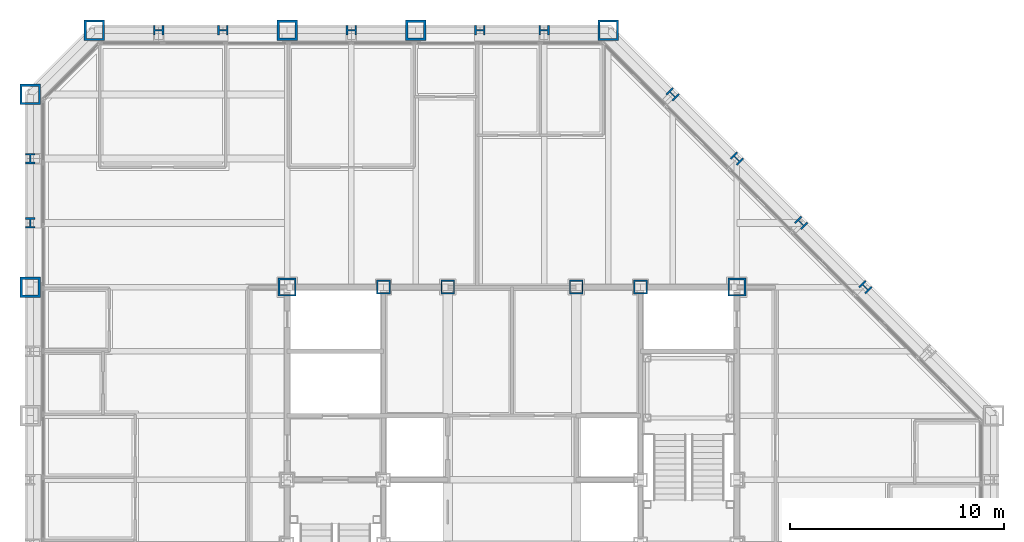
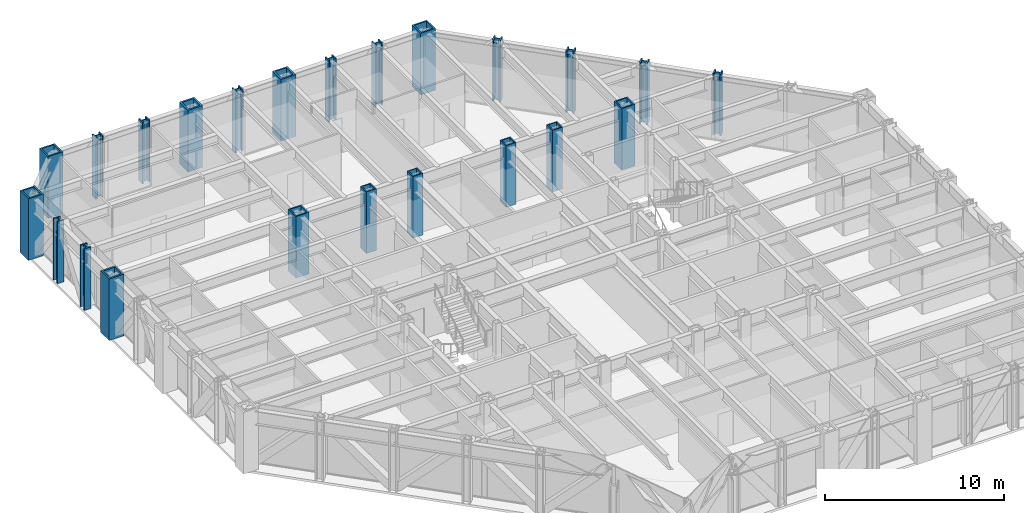
# One storey, part 3 of 16: 23 columns.
"""IFC4 building model written with IfcOpenShell, lengths in metres."""

from ifc_helpers import new_model, si_unit, direction, frame, origin, origin_2d, place, context, subcontext, project, spatial, hollow_rectangle, i_section, extrude, material, material_profile, profile_set, type_object, element, save


model = new_model("IFC4")

# Units and contexts
model_context = context("Model", 3, precision=1e-05, world=origin(), true_north=direction((0.0, 1.0)))
body_context = subcontext(model_context, "Body", "Model", "MODEL_VIEW")
ifc_project = project(units=[si_unit("LENGTHUNIT", "METRE"), si_unit("AREAUNIT", "SQUARE_METRE"), si_unit("VOLUMEUNIT", "CUBIC_METRE"), si_unit("PLANEANGLEUNIT", "RADIAN"), si_unit("MASSUNIT", "GRAM", prefix="KILO")], contexts=[model_context])

# Site, building, storey
site_placement = place(None, origin())
site = spatial("IfcSite", under=ifc_project, at=site_placement, CompositionType="ELEMENT")
building_placement = place(site_placement, origin())
building = spatial("IfcBuilding", under=site, at=building_placement, Name="Chuquiago Exchange Tower", CompositionType="ELEMENT")
storey_placement = place(building_placement, frame((0.0, 0.0, 153.0)))
storey = spatial("IfcBuildingStorey", under=building, at=storey_placement, Name="L33", CompositionType="ELEMENT", Elevation=153.0)

# Columns
ifc_material_1 = material(Name="Steel ASTM A992", Category="steel")
ifc_material_profile_1 = material_profile(ifc_material_1, i_section(OverallWidth=0.431884765625, OverallDepth=0.497802734375, WebThickness=0.0556640625, FlangeThickness=0.0888671875, at=origin_2d()), Name="W14X500")
ifc_profile_set_1 = profile_set([ifc_material_profile_1], Name="Steel ASTM A992")
column_type_1 = type_object("IfcColumnType", Name="C7 W14X500", PredefinedType="COLUMN", material=ifc_profile_set_1)
for number, where, z_axis, x_axis, name in (
    (1, (24.0, 45.0, 0.0), (0.0, 0.0, 1.0), (0.0, 1.0, 0.0), "COL-L33-24_45"),
    (2, (21.0, 45.0, 0.0), (0.0, 0.0, 1.0), (0.0, 1.0, 0.0), "COL-L33-21_45"),
    (3, (15.0, 45.0, 0.0), (0.0, 0.0, 1.0), (0.0, 1.0, 0.0), "COL-L33-15_45"),
    (4, (9.0, 45.0, 0.0), (0.0, 0.0, 1.0), (0.0, 1.0, 0.0), "COL-L33-9_45"),
    (5, (6.0, 45.0, 0.0), (0.0, 0.0, 1.0), (0.0, 1.0, 0.0), "COL-L33-6_45"),
    (6, (0.0, 39.0, 0.0), (0.0, 0.0, 1.0), (-1.0, 0.0, 0.0), "COL-L33-0_39"),
    (7, (0.0, 36.0, 0.0), (0.0, 0.0, 1.0), (-1.0, 0.0, 0.0), "COL-L33-0_36"),
):
    element("IfcColumn", number, at=place(storey_placement, frame(where, z_axis=z_axis, x_axis=x_axis)), inside=storey, type_object=column_type_1, Name=name, PredefinedType="COLUMN", context=body_context, shape_type="SweptSolid", body=[
        extrude(i_section(OverallWidth=0.431884765625, OverallDepth=0.497802734375, WebThickness=0.0556640625, FlangeThickness=0.0888671875, at=origin_2d()), origin(), (0.0, 0.0, 1.0), 4.199951171875),
    ])
ifc_material_2 = material(Name="Steel ASTM A572 Grade 50", Category="steel")
ifc_material_profile_2 = material_profile(ifc_material_2, hollow_rectangle(XDim=0.85009765625, YDim=0.85009765625, WallThickness=0.0849609375, at=origin_2d()), Name="BOX850X850X85")
ifc_profile_set_2 = profile_set([ifc_material_profile_2], Name="Steel ASTM A572 Grade 50")
column_type_2 = type_object("IfcColumnType", Name="CC6 BOX850X850X85", PredefinedType="COLUMN", material=ifc_profile_set_2)
for number, where, z_axis, x_axis, name in (
    (8, (12.0, 33.0, 0.0), (0.0, 0.0, 1.0), (1.0, 0.0, 0.0), "CCOL-L33-12_33"),
    (9, (33.0, 33.0, 0.0), (0.0, 0.0, 1.0), (1.0, 0.0, 0.0), "CCOL-L33-33_33"),
):
    element("IfcColumn", number, at=place(storey_placement, frame(where, z_axis=z_axis, x_axis=x_axis)), inside=storey, type_object=column_type_2, Name=name, PredefinedType="COLUMN", context=body_context, shape_type="SweptSolid", body=[
        extrude(hollow_rectangle(XDim=0.85009765625, YDim=0.85009765625, WallThickness=0.0849609375, at=origin_2d()), origin(), (0.0, 0.0, 1.0), 4.199951171875),
    ])
ifc_material_3 = material(Name="Steel ASTM A572 Grade 50", Category="steel")
ifc_material_profile_3 = material_profile(ifc_material_3, hollow_rectangle(XDim=0.64990234375, YDim=0.64990234375, WallThickness=0.06494140625, at=origin_2d()), Name="BOX650X650X65")
ifc_profile_set_3 = profile_set([ifc_material_profile_3], Name="Steel ASTM A572 Grade 50")
column_type_3 = type_object("IfcColumnType", Name="CC7 BOX650X650X65", PredefinedType="COLUMN", material=ifc_profile_set_3)
for number, where, z_axis, x_axis, name in (
    (10, (16.5, 33.0, 0.0), (0.0, 0.0, 1.0), (1.0, 0.0, 0.0), "CCOL-L33-16.5_33"),
    (11, (19.5, 33.0, 0.0), (0.0, 0.0, 1.0), (1.0, 0.0, 0.0), "CCOL-L33-19.5_33"),
    (12, (25.5, 33.0, 0.0), (0.0, 0.0, 1.0), (1.0, 0.0, 0.0), "CCOL-L33-25.5_33"),
    (13, (28.5, 33.0, 0.0), (0.0, 0.0, 1.0), (1.0, 0.0, 0.0), "CCOL-L33-28.5_33"),
):
    element("IfcColumn", number, at=place(storey_placement, frame(where, z_axis=z_axis, x_axis=x_axis)), inside=storey, type_object=column_type_3, Name=name, PredefinedType="COLUMN", context=body_context, shape_type="SweptSolid", body=[
        extrude(hollow_rectangle(XDim=0.64990234375, YDim=0.64990234375, WallThickness=0.06494140625, at=origin_2d()), origin(), (0.0, 0.0, 1.0), 4.199951171875),
    ])
ifc_material_4 = material(Name="Steel ASTM A992", Category="steel")
ifc_material_profile_4 = material_profile(ifc_material_4, i_section(OverallWidth=0.4267578125, OverallDepth=0.482666015625, WebThickness=0.05126953125, FlangeThickness=0.08154296875, at=origin_2d()), Name="W14X455")
ifc_profile_set_4 = profile_set([ifc_material_profile_4], Name="Steel ASTM A992")
column_type_4 = type_object("IfcColumnType", Name="CK6 W14X455", PredefinedType="COLUMN", material=ifc_profile_set_4)
for number, where, z_axis, x_axis, name in (
    (14, (39.0, 33.0, 0.0), (0.0, 0.0, 1.0), (0.707106781187, 0.707106781187, 0.0), "COL-L33-39_33"),
    (15, (36.0, 36.0, 0.0), (0.0, 0.0, 1.0), (0.707106781187, 0.707106781187, 0.0), "COL-L33-36_36"),
    (16, (33.0, 39.0, 0.0), (0.0, 0.0, 1.0), (0.707106781187, 0.707106781187, 0.0), "COL-L33-33_39"),
    (17, (30.0, 42.0, 0.0), (0.0, 0.0, 1.0), (0.707106781187, 0.707106781187, 0.0), "COL-L33-30_42"),
):
    element("IfcColumn", number, at=place(storey_placement, frame(where, z_axis=z_axis, x_axis=x_axis)), inside=storey, type_object=column_type_4, Name=name, PredefinedType="COLUMN", context=body_context, shape_type="SweptSolid", body=[
        extrude(i_section(OverallWidth=0.4267578125, OverallDepth=0.482666015625, WebThickness=0.05126953125, FlangeThickness=0.08154296875, at=origin_2d()), origin(), (0.0, 0.0, 1.0), 4.199951171875),
    ])
ifc_material_5 = material(Name="Steel ASTM A572 Grade 50", Category="steel")
ifc_material_profile_5 = material_profile(ifc_material_5, hollow_rectangle(XDim=0.949951171875, YDim=0.949951171875, WallThickness=0.094970703125, at=origin_2d()), Name="BOX950X950X95")
ifc_profile_set_5 = profile_set([ifc_material_profile_5], Name="Steel ASTM A572 Grade 50")
column_type_5 = type_object("IfcColumnType", Name="CN1 BOX950X950X95", PredefinedType="COLUMN", material=ifc_profile_set_5)
for number, where, z_axis, x_axis, name in (
    (18, (27.0, 45.0, 0.0), (0.0, 0.0, 1.0), (0.0, 1.0, 0.0), "COL-L33-27_45"),
    (19, (3.0, 45.0, 0.0), (0.0, 0.0, 1.0), (0.0, 1.0, 0.0), "COL-L33-3_45"),
    (20, (0.0, 42.0, 0.0), (0.0, 0.0, 1.0), (-1.0, 0.0, 0.0), "COL-L33-0_42"),
):
    element("IfcColumn", number, at=place(storey_placement, frame(where, z_axis=z_axis, x_axis=x_axis)), inside=storey, type_object=column_type_5, Name=name, PredefinedType="COLUMN", context=body_context, shape_type="SweptSolid", body=[
        extrude(hollow_rectangle(XDim=0.949951171875, YDim=0.949951171875, WallThickness=0.094970703125, at=origin_2d()), origin(), (0.0, 0.0, 1.0), 4.199951171875),
    ])
ifc_material_6 = material(Name="Steel ASTM A572 Grade 42", Category="steel")
ifc_material_profile_6 = material_profile(ifc_material_6, hollow_rectangle(XDim=0.949951171875, YDim=0.949951171875, WallThickness=0.110107421875, at=origin_2d()), Name="BOX950X950X110")
ifc_profile_set_6 = profile_set([ifc_material_profile_6], Name="Steel ASTM A572 Grade 42")
column_type_6 = type_object("IfcColumnType", Name="CT1 BOX950X950X110", PredefinedType="COLUMN", material=ifc_profile_set_6)
for number, where, z_axis, x_axis, name in (
    (21, (18.0, 45.0, 0.0), (0.0, 0.0, 1.0), (0.0, 1.0, 0.0), "COL-L33-18_45"),
    (22, (12.0, 45.0, 0.0), (0.0, 0.0, 1.0), (0.0, 1.0, 0.0), "COL-L33-12_45"),
    (23, (0.0, 33.0, 0.0), (0.0, 0.0, 1.0), (-1.0, 0.0, 0.0), "COL-L33-0_33"),
):
    element("IfcColumn", number, at=place(storey_placement, frame(where, z_axis=z_axis, x_axis=x_axis)), inside=storey, type_object=column_type_6, Name=name, PredefinedType="COLUMN", context=body_context, shape_type="SweptSolid", body=[
        extrude(hollow_rectangle(XDim=0.949951171875, YDim=0.949951171875, WallThickness=0.110107421875, at=origin_2d()), origin(), (0.0, 0.0, 1.0), 4.199951171875),
    ])

save(model, "model.ifc")
